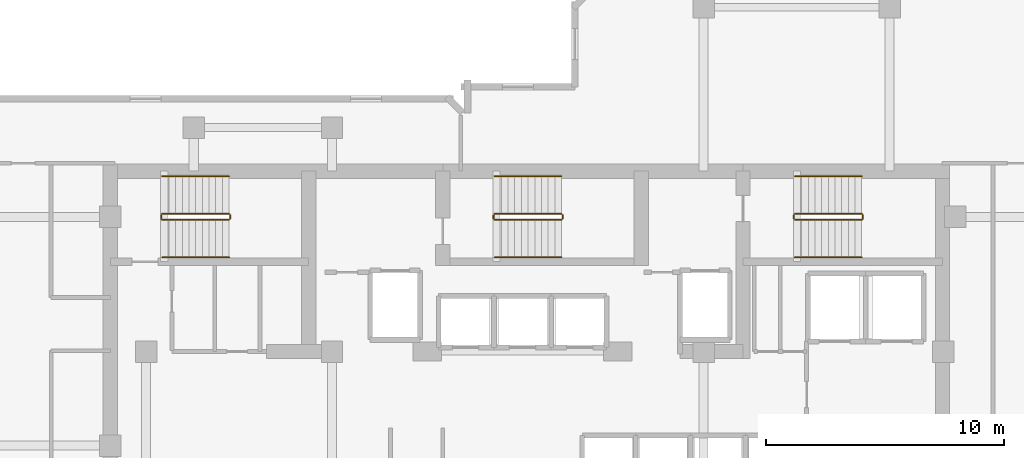
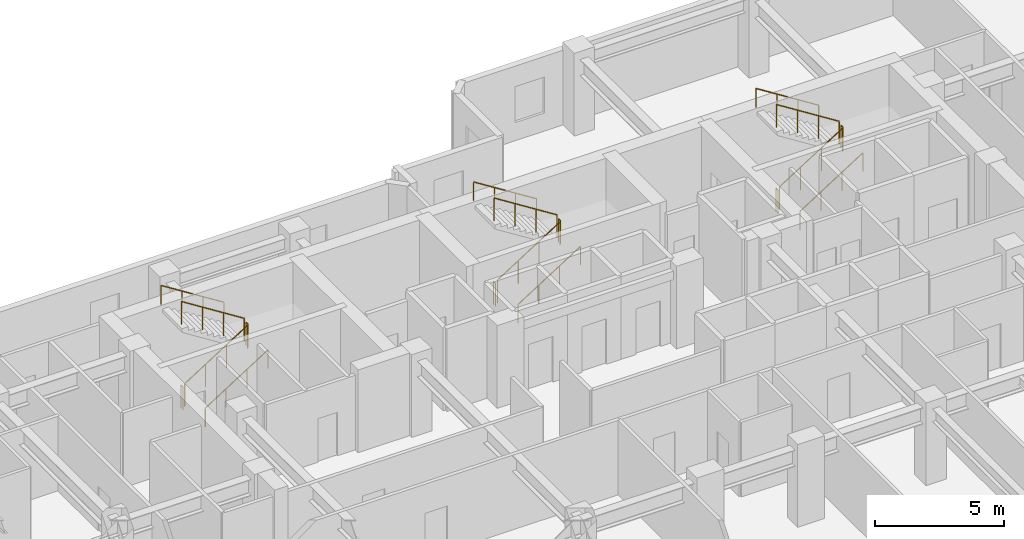
# One storey, part 10 of 10: 18 railings.
"""IFC4 building model written with IfcOpenShell, lengths in metres."""

from ifc_helpers import new_model, si_unit, direction, frame, origin, origin_2d, place, context, subcontext, project, spatial, circle, extrude, material, type_object, element, save


model = new_model("IFC4")

# Units and contexts
model_context = context("Model", 3, precision=1e-05, world=origin(), true_north=direction((0.0, 1.0)))
body_context = subcontext(model_context, "Body", "Model", "MODEL_VIEW")
ifc_project = project(units=[si_unit("LENGTHUNIT", "METRE"), si_unit("AREAUNIT", "SQUARE_METRE"), si_unit("VOLUMEUNIT", "CUBIC_METRE"), si_unit("PLANEANGLEUNIT", "RADIAN"), si_unit("MASSUNIT", "GRAM", prefix="KILO")], contexts=[model_context])

# Site, building, storey
site_placement = place(None, origin())
site = spatial("IfcSite", under=ifc_project, at=site_placement, CompositionType="ELEMENT")
building_placement = place(site_placement, origin())
building = spatial("IfcBuilding", under=site, at=building_placement, Name="Kestravale Grand Hotel", CompositionType="ELEMENT")
storey_placement = place(building_placement, frame((0.0, 0.0, 236.5)))
storey = spatial("IfcBuildingStorey", under=building, at=storey_placement, Name="L59", CompositionType="ELEMENT", Elevation=236.5)

# Railings
ifc_material_1 = material(Name="Painted tubular steel stair well guard", Category="steel")
railing_type_1 = type_object("IfcRailingType", Name="RL-ST-GRD1100", PredefinedType="GUARDRAIL", material=ifc_material_1)
railing_1_placement = place(storey_placement, frame((24.080078125, 38.280029296875, 0.17724609375)))
element("IfcRailing", 1, at=railing_1_placement, inside=storey, type_object=railing_type_1, Name="L59 ST-1 stair guard 1", PredefinedType="GUARDRAIL", context=body_context, shape_type="SweptSolid", body=[
    extrude(circle(Radius=0.02392578125, at=origin_2d()), frame((0.0, 0.0, 1.076171875), z_axis=(0.844887892834, 0.0, 0.53494340686), x_axis=(0.0, 1.0, 0.0)), (0.0, 0.0, 1.0), 3.313720703125),
    extrude(circle(Radius=0.02099609375, at=origin_2d()), origin(), (0.0, 0.0, 1.0), 1.052001953125),
    extrude(circle(Radius=0.02099609375, at=origin_2d()), frame((0.933349609375, 0.0, 0.5908203125)), (0.0, 0.0, 1.0), 1.052001953125),
    extrude(circle(Radius=0.02099609375, at=origin_2d()), frame((1.866455078125, 0.0, 1.181884765625)), (0.0, 0.0, 1.0), 1.052001953125),
    extrude(circle(Radius=0.02099609375, at=origin_2d()), frame((2.7998046875, 0.0, 1.772705078125)), (0.0, 0.0, 1.0), 1.052001953125),
])
railing_2_placement = place(storey_placement, frame((26.929931640625, 38.330078125, 1.949951171875)))
element("IfcRailing", 2, at=railing_2_placement, inside=storey, type_object=railing_type_1, Name="L59 ST-1 stair guard 2", PredefinedType="GUARDRAIL", context=body_context, shape_type="SweptSolid", body=[
    extrude(circle(Radius=0.02392578125, at=origin_2d()), frame((0.0, 0.0, 1.076171875), z_axis=(0.0, 1.0, 0.0), x_axis=(-1.0, 0.0, 0.0)), (0.0, 0.0, 1.0), 0.14990234375),
    extrude(circle(Radius=0.02099609375, at=origin_2d()), origin(), (0.0, 0.0, 1.0), 1.052001953125),
    extrude(circle(Radius=0.02099609375, at=origin_2d()), frame((0.0, 0.14990234375, 0.0)), (0.0, 0.0, 1.0), 1.052001953125),
])
railing_3_placement = place(storey_placement, frame((26.8798828125, 38.530029296875, 2.127197265625)))
element("IfcRailing", 3, at=railing_3_placement, inside=storey, type_object=railing_type_1, Name="L59 ST-1 stair guard 3", PredefinedType="GUARDRAIL", context=body_context, shape_type="SweptSolid", body=[
    extrude(circle(Radius=0.02392578125, at=origin_2d()), frame((0.0, 0.0, 1.076171875), z_axis=(-0.844887892834, 0.0, 0.53494340686), x_axis=(0.0, -1.0, 0.0)), (0.0, 0.0, 1.0), 3.313720703125),
    extrude(circle(Radius=0.02099609375, at=origin_2d()), origin(), (0.0, 0.0, 1.0), 1.052001953125),
    extrude(circle(Radius=0.02099609375, at=origin_2d()), frame((-0.933349609375, 0.0, 0.5908203125)), (0.0, 0.0, 1.0), 1.052001953125),
    extrude(circle(Radius=0.02099609375, at=origin_2d()), frame((-1.866455078125, 0.0, 1.181884765625)), (0.0, 0.0, 1.0), 1.052001953125),
    extrude(circle(Radius=0.02099609375, at=origin_2d()), frame((-2.7998046875, 0.0, 1.772705078125)), (0.0, 0.0, 1.0), 1.052001953125),
])
railing_4_placement = place(storey_placement, frame((24.030029296875, 38.330078125, 0.0)))
element("IfcRailing", 4, at=railing_4_placement, inside=storey, type_object=railing_type_1, Name="L59 ST-1 stair guard 4", PredefinedType="GUARDRAIL", context=body_context, shape_type="SweptSolid", body=[
    extrude(circle(Radius=0.02392578125, at=origin_2d()), frame((0.0, 0.0, 1.076171875), z_axis=(0.0, 1.0, 0.0), x_axis=(-1.0, 0.0, 0.0)), (0.0, 0.0, 1.0), 0.14990234375),
    extrude(circle(Radius=0.02099609375, at=origin_2d()), origin(), (0.0, 0.0, 1.0), 1.052001953125),
    extrude(circle(Radius=0.02099609375, at=origin_2d()), frame((0.0, 0.14990234375, 0.0)), (0.0, 0.0, 1.0), 1.052001953125),
])
railing_5_placement = place(storey_placement, frame((38.030029296875, 38.280029296875, 0.17724609375)))
element("IfcRailing", 5, at=railing_5_placement, inside=storey, type_object=railing_type_1, Name="L59 ST-2 stair guard 1", PredefinedType="GUARDRAIL", context=body_context, shape_type="SweptSolid", body=[
    extrude(circle(Radius=0.02392578125, at=origin_2d()), frame((0.0, 0.0, 1.076171875), z_axis=(0.844908973607, 0.0, 0.534910110503), x_axis=(0.0, 1.0, 0.0)), (0.0, 0.0, 1.0), 3.31396484375),
    extrude(circle(Radius=0.02099609375, at=origin_2d()), origin(), (0.0, 0.0, 1.0), 1.052001953125),
    extrude(circle(Radius=0.02099609375, at=origin_2d()), frame((0.933349609375, 0.0, 0.5908203125)), (0.0, 0.0, 1.0), 1.052001953125),
    extrude(circle(Radius=0.02099609375, at=origin_2d()), frame((1.86669921875, 0.0, 1.181884765625)), (0.0, 0.0, 1.0), 1.052001953125),
    extrude(circle(Radius=0.02099609375, at=origin_2d()), frame((2.800048828125, 0.0, 1.772705078125)), (0.0, 0.0, 1.0), 1.052001953125),
])
railing_6_placement = place(storey_placement, frame((40.8798828125, 38.330078125, 1.949951171875)))
element("IfcRailing", 6, at=railing_6_placement, inside=storey, type_object=railing_type_1, Name="L59 ST-2 stair guard 2", PredefinedType="GUARDRAIL", context=body_context, shape_type="SweptSolid", body=[
    extrude(circle(Radius=0.02392578125, at=origin_2d()), frame((0.0, 0.0, 1.076171875), z_axis=(0.0, 1.0, 0.0), x_axis=(-1.0, 0.0, 0.0)), (0.0, 0.0, 1.0), 0.14990234375),
    extrude(circle(Radius=0.02099609375, at=origin_2d()), origin(), (0.0, 0.0, 1.0), 1.052001953125),
    extrude(circle(Radius=0.02099609375, at=origin_2d()), frame((0.0, 0.14990234375, 0.0)), (0.0, 0.0, 1.0), 1.052001953125),
])
railing_7_placement = place(storey_placement, frame((40.830078125, 38.530029296875, 2.127197265625)))
element("IfcRailing", 7, at=railing_7_placement, inside=storey, type_object=railing_type_1, Name="L59 ST-2 stair guard 3", PredefinedType="GUARDRAIL", context=body_context, shape_type="SweptSolid", body=[
    extrude(circle(Radius=0.02392578125, at=origin_2d()), frame((0.0, 0.0, 1.076171875), z_axis=(-0.844908973607, 0.0, 0.534910110503), x_axis=(0.0, -1.0, 0.0)), (0.0, 0.0, 1.0), 3.31396484375),
    extrude(circle(Radius=0.02099609375, at=origin_2d()), origin(), (0.0, 0.0, 1.0), 1.052001953125),
    extrude(circle(Radius=0.02099609375, at=origin_2d()), frame((-0.933349609375, 0.0, 0.5908203125)), (0.0, 0.0, 1.0), 1.052001953125),
    extrude(circle(Radius=0.02099609375, at=origin_2d()), frame((-1.86669921875, 0.0, 1.181884765625)), (0.0, 0.0, 1.0), 1.052001953125),
    extrude(circle(Radius=0.02099609375, at=origin_2d()), frame((-2.800048828125, 0.0, 1.772705078125)), (0.0, 0.0, 1.0), 1.052001953125),
])
railing_8_placement = place(storey_placement, frame((37.97998046875, 38.330078125, 0.0)))
element("IfcRailing", 8, at=railing_8_placement, inside=storey, type_object=railing_type_1, Name="L59 ST-2 stair guard 4", PredefinedType="GUARDRAIL", context=body_context, shape_type="SweptSolid", body=[
    extrude(circle(Radius=0.02392578125, at=origin_2d()), frame((0.0, 0.0, 1.076171875), z_axis=(0.0, 1.0, 0.0), x_axis=(-1.0, 0.0, 0.0)), (0.0, 0.0, 1.0), 0.14990234375),
    extrude(circle(Radius=0.02099609375, at=origin_2d()), origin(), (0.0, 0.0, 1.0), 1.052001953125),
    extrude(circle(Radius=0.02099609375, at=origin_2d()), frame((0.0, 0.14990234375, 0.0)), (0.0, 0.0, 1.0), 1.052001953125),
])
railing_9_placement = place(storey_placement, frame((50.6298828125, 38.280029296875, 0.17724609375)))
element("IfcRailing", 9, at=railing_9_placement, inside=storey, type_object=railing_type_1, Name="L59 ST-3 stair guard 1", PredefinedType="GUARDRAIL", context=body_context, shape_type="SweptSolid", body=[
    extrude(circle(Radius=0.02392578125, at=origin_2d()), frame((0.0, 0.0, 1.076171875), z_axis=(0.844908973607, 0.0, 0.534910110503), x_axis=(0.0, 1.0, 0.0)), (0.0, 0.0, 1.0), 3.31396484375),
    extrude(circle(Radius=0.02099609375, at=origin_2d()), origin(), (0.0, 0.0, 1.0), 1.052001953125),
    extrude(circle(Radius=0.02099609375, at=origin_2d()), frame((0.933349609375, 0.0, 0.5908203125)), (0.0, 0.0, 1.0), 1.052001953125),
    extrude(circle(Radius=0.02099609375, at=origin_2d()), frame((1.86669921875, 0.0, 1.181884765625)), (0.0, 0.0, 1.0), 1.052001953125),
    extrude(circle(Radius=0.02099609375, at=origin_2d()), frame((2.800048828125, 0.0, 1.772705078125)), (0.0, 0.0, 1.0), 1.052001953125),
])
railing_10_placement = place(storey_placement, frame((53.47998046875, 38.330078125, 1.949951171875)))
element("IfcRailing", 10, at=railing_10_placement, inside=storey, type_object=railing_type_1, Name="L59 ST-3 stair guard 2", PredefinedType="GUARDRAIL", context=body_context, shape_type="SweptSolid", body=[
    extrude(circle(Radius=0.02392578125, at=origin_2d()), frame((0.0, 0.0, 1.076171875), z_axis=(0.0, 1.0, 0.0), x_axis=(-1.0, 0.0, 0.0)), (0.0, 0.0, 1.0), 0.14990234375),
    extrude(circle(Radius=0.02099609375, at=origin_2d()), origin(), (0.0, 0.0, 1.0), 1.052001953125),
    extrude(circle(Radius=0.02099609375, at=origin_2d()), frame((0.0, 0.14990234375, 0.0)), (0.0, 0.0, 1.0), 1.052001953125),
])
railing_11_placement = place(storey_placement, frame((53.429931640625, 38.530029296875, 2.127197265625)))
element("IfcRailing", 11, at=railing_11_placement, inside=storey, type_object=railing_type_1, Name="L59 ST-3 stair guard 3", PredefinedType="GUARDRAIL", context=body_context, shape_type="SweptSolid", body=[
    extrude(circle(Radius=0.02392578125, at=origin_2d()), frame((0.0, 0.0, 1.076171875), z_axis=(-0.844908973607, 0.0, 0.534910110503), x_axis=(0.0, -1.0, 0.0)), (0.0, 0.0, 1.0), 3.31396484375),
    extrude(circle(Radius=0.02099609375, at=origin_2d()), origin(), (0.0, 0.0, 1.0), 1.052001953125),
    extrude(circle(Radius=0.02099609375, at=origin_2d()), frame((-0.933349609375, 0.0, 0.5908203125)), (0.0, 0.0, 1.0), 1.052001953125),
    extrude(circle(Radius=0.02099609375, at=origin_2d()), frame((-1.86669921875, 0.0, 1.181884765625)), (0.0, 0.0, 1.0), 1.052001953125),
    extrude(circle(Radius=0.02099609375, at=origin_2d()), frame((-2.800048828125, 0.0, 1.772705078125)), (0.0, 0.0, 1.0), 1.052001953125),
])
railing_12_placement = place(storey_placement, frame((50.580078125, 38.330078125, 0.0)))
element("IfcRailing", 12, at=railing_12_placement, inside=storey, type_object=railing_type_1, Name="L59 ST-3 stair guard 4", PredefinedType="GUARDRAIL", context=body_context, shape_type="SweptSolid", body=[
    extrude(circle(Radius=0.02392578125, at=origin_2d()), frame((0.0, 0.0, 1.076171875), z_axis=(0.0, 1.0, 0.0), x_axis=(-1.0, 0.0, 0.0)), (0.0, 0.0, 1.0), 0.14990234375),
    extrude(circle(Radius=0.02099609375, at=origin_2d()), origin(), (0.0, 0.0, 1.0), 1.052001953125),
    extrude(circle(Radius=0.02099609375, at=origin_2d()), frame((0.0, 0.14990234375, 0.0)), (0.0, 0.0, 1.0), 1.052001953125),
])
ifc_material_2 = material(Name="Brushed stainless steel wall handrail", Category="steel")
railing_type_2 = type_object("IfcRailingType", Name="RL-ST-HND900", PredefinedType="HANDRAIL", material=ifc_material_2)
railing_13_placement = place(storey_placement, frame((24.080078125, 36.699951171875, 0.17724609375)))
element("IfcRailing", 13, at=railing_13_placement, inside=storey, type_object=railing_type_2, Name="L59 ST-1 stair handrail 1", PredefinedType="HANDRAIL", context=body_context, shape_type="SweptSolid", body=[
    extrude(circle(Radius=0.02392578125, at=origin_2d()), frame((0.0, 0.0, 0.8759765625), z_axis=(0.844887892834, 0.0, 0.53494340686), x_axis=(0.0, 1.0, 0.0)), (0.0, 0.0, 1.0), 3.313720703125),
    extrude(circle(Radius=0.02099609375, at=origin_2d()), origin(), (0.0, 0.0, 1.0), 0.851806640625),
    extrude(circle(Radius=0.02099609375, at=origin_2d()), frame((0.933349609375, 0.0, 0.5908203125)), (0.0, 0.0, 1.0), 0.851806640625),
    extrude(circle(Radius=0.02099609375, at=origin_2d()), frame((1.866455078125, 0.0, 1.181884765625)), (0.0, 0.0, 1.0), 0.851806640625),
    extrude(circle(Radius=0.02099609375, at=origin_2d()), frame((2.7998046875, 0.0, 1.772705078125)), (0.0, 0.0, 1.0), 0.851806640625),
])
railing_14_placement = place(storey_placement, frame((26.8798828125, 40.110107421875, 2.127197265625)))
element("IfcRailing", 14, at=railing_14_placement, inside=storey, type_object=railing_type_2, Name="L59 ST-1 stair handrail 2", PredefinedType="HANDRAIL", context=body_context, shape_type="SweptSolid", body=[
    extrude(circle(Radius=0.02392578125, at=origin_2d()), frame((0.0, 0.0, 0.8759765625), z_axis=(-0.844887892834, 0.0, 0.53494340686), x_axis=(0.0, -1.0, 0.0)), (0.0, 0.0, 1.0), 3.313720703125),
    extrude(circle(Radius=0.02099609375, at=origin_2d()), origin(), (0.0, 0.0, 1.0), 0.851806640625),
    extrude(circle(Radius=0.02099609375, at=origin_2d()), frame((-0.933349609375, 0.0, 0.5908203125)), (0.0, 0.0, 1.0), 0.851806640625),
    extrude(circle(Radius=0.02099609375, at=origin_2d()), frame((-1.866455078125, 0.0, 1.181884765625)), (0.0, 0.0, 1.0), 0.851806640625),
    extrude(circle(Radius=0.02099609375, at=origin_2d()), frame((-2.7998046875, 0.0, 1.772705078125)), (0.0, 0.0, 1.0), 0.851806640625),
])
railing_15_placement = place(storey_placement, frame((38.030029296875, 36.699951171875, 0.17724609375)))
element("IfcRailing", 15, at=railing_15_placement, inside=storey, type_object=railing_type_2, Name="L59 ST-2 stair handrail 1", PredefinedType="HANDRAIL", context=body_context, shape_type="SweptSolid", body=[
    extrude(circle(Radius=0.02392578125, at=origin_2d()), frame((0.0, 0.0, 0.8759765625), z_axis=(0.844908973607, 0.0, 0.534910110503), x_axis=(0.0, 1.0, 0.0)), (0.0, 0.0, 1.0), 3.31396484375),
    extrude(circle(Radius=0.02099609375, at=origin_2d()), origin(), (0.0, 0.0, 1.0), 0.851806640625),
    extrude(circle(Radius=0.02099609375, at=origin_2d()), frame((0.933349609375, 0.0, 0.5908203125)), (0.0, 0.0, 1.0), 0.851806640625),
    extrude(circle(Radius=0.02099609375, at=origin_2d()), frame((1.86669921875, 0.0, 1.181884765625)), (0.0, 0.0, 1.0), 0.851806640625),
    extrude(circle(Radius=0.02099609375, at=origin_2d()), frame((2.800048828125, 0.0, 1.772705078125)), (0.0, 0.0, 1.0), 0.851806640625),
])
railing_16_placement = place(storey_placement, frame((40.830078125, 40.110107421875, 2.127197265625)))
element("IfcRailing", 16, at=railing_16_placement, inside=storey, type_object=railing_type_2, Name="L59 ST-2 stair handrail 2", PredefinedType="HANDRAIL", context=body_context, shape_type="SweptSolid", body=[
    extrude(circle(Radius=0.02392578125, at=origin_2d()), frame((0.0, 0.0, 0.8759765625), z_axis=(-0.844908973607, 0.0, 0.534910110503), x_axis=(0.0, -1.0, 0.0)), (0.0, 0.0, 1.0), 3.31396484375),
    extrude(circle(Radius=0.02099609375, at=origin_2d()), origin(), (0.0, 0.0, 1.0), 0.851806640625),
    extrude(circle(Radius=0.02099609375, at=origin_2d()), frame((-0.933349609375, 0.0, 0.5908203125)), (0.0, 0.0, 1.0), 0.851806640625),
    extrude(circle(Radius=0.02099609375, at=origin_2d()), frame((-1.86669921875, 0.0, 1.181884765625)), (0.0, 0.0, 1.0), 0.851806640625),
    extrude(circle(Radius=0.02099609375, at=origin_2d()), frame((-2.800048828125, 0.0, 1.772705078125)), (0.0, 0.0, 1.0), 0.851806640625),
])
railing_17_placement = place(storey_placement, frame((50.6298828125, 36.699951171875, 0.17724609375)))
element("IfcRailing", 17, at=railing_17_placement, inside=storey, type_object=railing_type_2, Name="L59 ST-3 stair handrail 1", PredefinedType="HANDRAIL", context=body_context, shape_type="SweptSolid", body=[
    extrude(circle(Radius=0.02392578125, at=origin_2d()), frame((0.0, 0.0, 0.8759765625), z_axis=(0.844908973607, 0.0, 0.534910110503), x_axis=(0.0, 1.0, 0.0)), (0.0, 0.0, 1.0), 3.31396484375),
    extrude(circle(Radius=0.02099609375, at=origin_2d()), origin(), (0.0, 0.0, 1.0), 0.851806640625),
    extrude(circle(Radius=0.02099609375, at=origin_2d()), frame((0.933349609375, 0.0, 0.5908203125)), (0.0, 0.0, 1.0), 0.851806640625),
    extrude(circle(Radius=0.02099609375, at=origin_2d()), frame((1.86669921875, 0.0, 1.181884765625)), (0.0, 0.0, 1.0), 0.851806640625),
    extrude(circle(Radius=0.02099609375, at=origin_2d()), frame((2.800048828125, 0.0, 1.772705078125)), (0.0, 0.0, 1.0), 0.851806640625),
])
railing_18_placement = place(storey_placement, frame((53.429931640625, 40.110107421875, 2.127197265625)))
element("IfcRailing", 18, at=railing_18_placement, inside=storey, type_object=railing_type_2, Name="L59 ST-3 stair handrail 2", PredefinedType="HANDRAIL", context=body_context, shape_type="SweptSolid", body=[
    extrude(circle(Radius=0.02392578125, at=origin_2d()), frame((0.0, 0.0, 0.8759765625), z_axis=(-0.844908973607, 0.0, 0.534910110503), x_axis=(0.0, -1.0, 0.0)), (0.0, 0.0, 1.0), 3.31396484375),
    extrude(circle(Radius=0.02099609375, at=origin_2d()), origin(), (0.0, 0.0, 1.0), 0.851806640625),
    extrude(circle(Radius=0.02099609375, at=origin_2d()), frame((-0.933349609375, 0.0, 0.5908203125)), (0.0, 0.0, 1.0), 0.851806640625),
    extrude(circle(Radius=0.02099609375, at=origin_2d()), frame((-1.86669921875, 0.0, 1.181884765625)), (0.0, 0.0, 1.0), 0.851806640625),
    extrude(circle(Radius=0.02099609375, at=origin_2d()), frame((-2.800048828125, 0.0, 1.772705078125)), (0.0, 0.0, 1.0), 0.851806640625),
])

save(model, "model.ifc")
